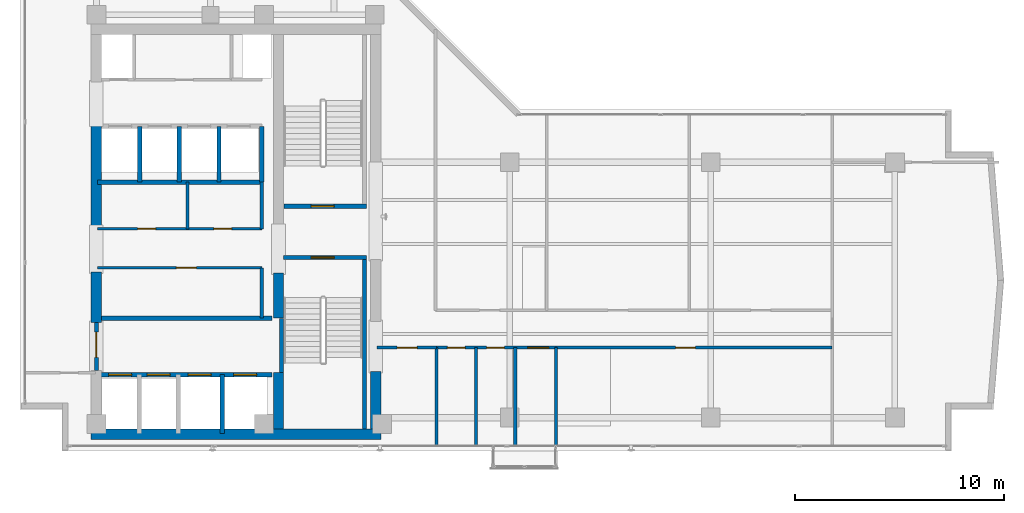
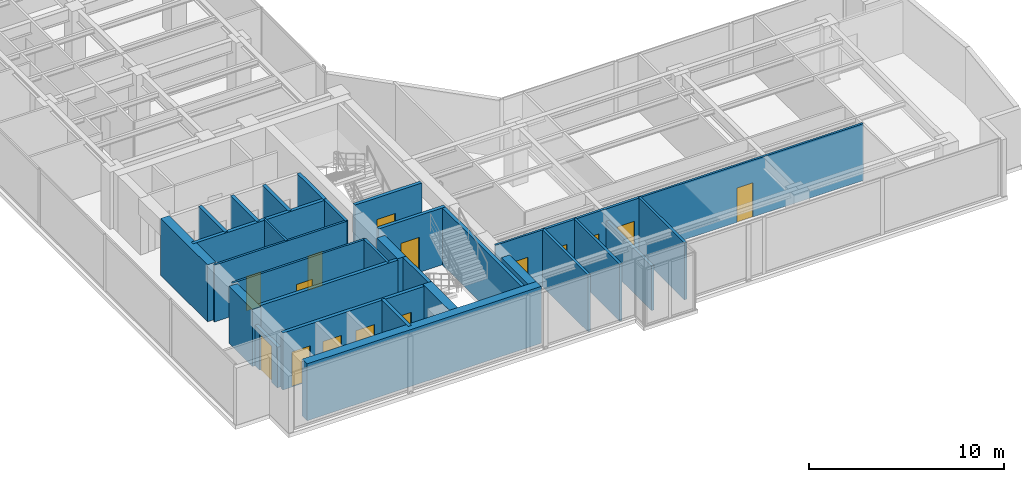
# One storey, part 17 of 24: 31 walls, 15 doors, 15 openings.
"""IFC4 building model written with IfcOpenShell, lengths in metres."""

from ifc_helpers import new_model, si_unit, direction, frame, frame_2d, origin, place, context, subcontext, project, spatial, rectangle, extrude, material, layer, layer_set, type_object, element, fill, save


model = new_model("IFC4")

# Units and contexts
model_context = context("Model", 3, precision=1e-05, world=origin(), true_north=direction((0.0, 1.0)))
body_context = subcontext(model_context, "Body", "Model", "MODEL_VIEW")
ifc_project = project(units=[si_unit("LENGTHUNIT", "METRE"), si_unit("AREAUNIT", "SQUARE_METRE"), si_unit("VOLUMEUNIT", "CUBIC_METRE"), si_unit("PLANEANGLEUNIT", "RADIAN"), si_unit("MASSUNIT", "GRAM", prefix="KILO")], contexts=[model_context])

# Site, building, storey
site_placement = place(None, origin())
site = spatial("IfcSite", under=ifc_project, at=site_placement, CompositionType="ELEMENT")
building_placement = place(site_placement, origin())
building = spatial("IfcBuilding", under=site, at=building_placement, Name="Kolvaren Waterfront Exchange", CompositionType="ELEMENT")
storey_placement = place(building_placement, frame((0.0, 0.0, 293.199951171875)))
storey = spatial("IfcBuildingStorey", under=building, at=storey_placement, Name="L75", CompositionType="ELEMENT", Elevation=293.199951171875)

# Wall, opening, door
ifc_material_1 = material(Name="Precast concrete C40/50", Category="concrete")
ifc_layer_1 = layer(ifc_material_1, 0.199951171875, Name="Precast concrete C40/50")
ifc_layer_set_1 = layer_set([ifc_layer_1], Name="Precast concrete C40/50")
wall_type_1 = type_object("IfcWallType", Name="ARC-FIRE-200", PredefinedType="PARTITIONING", material=ifc_layer_set_1)
wall_1_placement = place(storey_placement, frame((16.39990234375, 12.85009765625, 0.0), z_axis=(0.0, 0.0, 1.0), x_axis=(1.0, 0.0, 0.0)))
wall_1 = element("IfcWall", 1, at=wall_1_placement, inside=storey, type_object=wall_type_1, Name="L75 interior wall PW-L75-ST1-THROAT-S", PredefinedType="PARTITIONING", context=body_context, shape_type="SweptSolid", body=[
    extrude(rectangle(XDim=3.960205078125, YDim=0.199951171875, at=frame_2d((1.97998046875, 0.0))), origin(), (0.0, 0.0, 1.0), 3.56005859375),
])
opening_1_placement = place(wall_1_placement, frame((1.3037109375, 0.0, 0.0)))
opening_1 = element("IfcOpeningElement", 2, at=opening_1_placement, cuts=wall_1, Name="Opening FD2", PredefinedType="OPENING", context=body_context, shape_type="SweptSolid", body=[
    extrude(rectangle(XDim=1.10009765625, YDim=2.199951171875, at=frame_2d((0.550048828125, 1.10009765625))), frame((0.0, 0.10986328125, 0.0), z_axis=(0.0, -1.0, 0.0), x_axis=(1.0, 0.0, 0.0)), (0.0, 0.0, 1.0), 0.219970703125),
])
ifc_material_2 = material(Name="Pressed steel smoke-seal fire door", Category="steel")
door_type_1 = type_object("IfcDoorType", Name="ARC-FD-1100", OperationType="NOTDEFINED", PredefinedType="DOOR", material=ifc_material_2)
door_1_placement = place(opening_1_placement, frame((1.10009765625, 0.0, 0.0), z_axis=(0.0, 0.0, 1.0), x_axis=(-1.0, 0.0, 0.0)))
door_1 = element("IfcDoor", 3, at=door_1_placement, inside=storey, type_object=door_type_1, Name="L75 door DR-L75-ST1-IN (FD2)", OperationType="SINGLE_SWING_LEFT", OverallHeight=2.199951171875, OverallWidth=1.10009765625, PredefinedType="DOOR", context=body_context, shape_type="SweptSolid", body=[
    extrude(rectangle(XDim=1.10009765625, YDim=2.199951171875, at=frame_2d((0.550048828125, 1.10009765625))), frame((0.0, 0.02490234375, 0.0), z_axis=(0.0, -1.0, 0.0), x_axis=(1.0, 0.0, 0.0)), (0.0, 0.0, 1.0), 0.050048828125),
])
fill(opening_1, door_1)

wall_2_placement = place(storey_placement, frame((16.409912109375, 15.300048828125, 0.0), z_axis=(0.0, 0.0, 1.0), x_axis=(1.0, 0.0, 0.0)))
wall_2 = element("IfcWall", 4, at=wall_2_placement, inside=storey, type_object=wall_type_1, Name="L75 interior wall PW-L75-ST2-THROAT-N", PredefinedType="PARTITIONING", context=body_context, shape_type="SweptSolid", body=[
    extrude(rectangle(XDim=3.9501953125, YDim=0.199951171875, at=frame_2d((1.97509765625, 0.0))), origin(), (0.0, 0.0, 1.0), 3.56005859375),
])
opening_2_placement = place(wall_2_placement, frame((1.293701171875, 0.0, 0.0)))
opening_2 = element("IfcOpeningElement", 5, at=opening_2_placement, cuts=wall_2, Name="Opening FD2", PredefinedType="OPENING", context=body_context, shape_type="SweptSolid", body=[
    extrude(rectangle(XDim=1.10009765625, YDim=2.199951171875, at=frame_2d((0.550048828125, 1.10009765625))), frame((0.0, 0.10986328125, 0.0), z_axis=(0.0, -1.0, 0.0), x_axis=(1.0, 0.0, 0.0)), (0.0, 0.0, 1.0), 0.219970703125),
])
door_2_placement = place(opening_2_placement, origin())
door_2 = element("IfcDoor", 6, at=door_2_placement, inside=storey, type_object=door_type_1, Name="L75 door DR-L75-ST2-IN (FD2)", OperationType="SINGLE_SWING_RIGHT", OverallHeight=2.199951171875, OverallWidth=1.10009765625, PredefinedType="DOOR", context=body_context, shape_type="SweptSolid", body=[
    extrude(rectangle(XDim=1.10009765625, YDim=2.199951171875, at=frame_2d((0.550048828125, 1.10009765625))), frame((0.0, 0.02490234375, 0.0), z_axis=(0.0, -1.0, 0.0), x_axis=(1.0, 0.0, 0.0)), (0.0, 0.0, 1.0), 0.050048828125),
])
fill(opening_2, door_2)

# Wall
wall_3_placement = place(storey_placement, frame((7.5, 9.949951171875, 0.0), z_axis=(0.0, 0.0, 1.0), x_axis=(1.0, 0.0, 0.0)))
element("IfcWall", 7, at=wall_3_placement, inside=storey, type_object=wall_type_1, Name="L75 interior wall PW-L75-FF-N", PredefinedType="PARTITIONING", context=body_context, shape_type="SweptSolid", body=[
    extrude(rectangle(XDim=8.35009765625, YDim=0.199951171875, at=frame_2d((4.175048828125, 0.0))), origin(), (0.0, 0.0, 1.0), 3.56005859375),
])

# Wall, opening, door
wall_4_placement = place(storey_placement, frame((7.449951171875, 7.449951171875, 0.0), z_axis=(0.0, 0.0, 1.0), x_axis=(0.0, 1.0, 0.0)))
wall_4 = element("IfcWall", 8, at=wall_4_placement, inside=storey, type_object=wall_type_1, Name="L75 interior wall PW-L75-FF-W-DOOR", PredefinedType="PARTITIONING", context=body_context, shape_type="SweptSolid", body=[
    extrude(rectangle(XDim=2.300048828125, YDim=0.199951171875, at=frame_2d((1.14990234375, 0.0))), origin(), (0.0, 0.0, 1.0), 2.5400390625),
])
opening_3_placement = place(wall_4_placement, frame((0.63330078125, 0.0, 0.0)))
opening_3 = element("IfcOpeningElement", 9, at=opening_3_placement, cuts=wall_4, Name="Opening FD3", PredefinedType="OPENING", context=body_context, shape_type="SweptSolid", body=[
    extrude(rectangle(XDim=1.199951171875, YDim=2.25, at=frame_2d((0.60009765625, 1.125))), frame((0.0, 0.10986328125, 0.0), z_axis=(0.0, -1.0, 0.0), x_axis=(1.0, 0.0, 0.0)), (0.0, 0.0, 1.0), 0.219970703125),
])
ifc_material_3 = material(Name="Pressed steel fire door", Category="steel")
door_type_2 = type_object("IfcDoorType", Name="ARC-FD-1200", OperationType="NOTDEFINED", PredefinedType="DOOR", material=ifc_material_3)
door_3_placement = place(opening_3_placement, frame((1.199951171875, 0.0, 0.0), z_axis=(0.0, 0.0, 1.0), x_axis=(-1.0, 0.0, 0.0)))
door_3 = element("IfcDoor", 10, at=door_3_placement, inside=storey, type_object=door_type_2, Name="L75 door DR-L75-FF-OUT (FD3)", OperationType="SINGLE_SWING_LEFT", OverallHeight=2.25, OverallWidth=1.199951171875, PredefinedType="DOOR", context=body_context, shape_type="SweptSolid", body=[
    extrude(rectangle(XDim=1.199951171875, YDim=2.25, at=frame_2d((0.60009765625, 1.125))), frame((0.0, 0.02490234375, 0.0), z_axis=(0.0, -1.0, 0.0), x_axis=(1.0, 0.0, 0.0)), (0.0, 0.0, 1.0), 0.050048828125),
])
fill(opening_3, door_3)

ifc_material_4 = material(Name="Acoustic gypsum steel stud", Category="steel")
ifc_layer_2 = layer(ifc_material_4, 0.125, Name="Acoustic gypsum steel stud")
ifc_layer_set_2 = layer_set([ifc_layer_2], Name="Acoustic gypsum steel stud")
wall_type_2 = type_object("IfcWallType", Name="ARC-PART-125", PredefinedType="PARTITIONING", material=ifc_layer_set_2)
wall_5_placement = place(storey_placement, frame((7.5, 12.360107421875, 0.0), z_axis=(0.0, 0.0, 1.0), x_axis=(1.0, 0.0, 0.0)))
wall_5 = element("IfcWall", 11, at=wall_5_placement, inside=storey, type_object=wall_type_2, Name="L75 interior wall PW-L75-REC-HI-S", PredefinedType="PARTITIONING", context=body_context, shape_type="SweptSolid", body=[
    extrude(rectangle(XDim=7.85009765625, YDim=0.125, at=frame_2d((3.925048828125, 0.0))), origin(), (0.0, 0.0, 1.0), 3.56005859375),
])
opening_4_placement = place(wall_5_placement, frame((3.77490234375, 0.0, 0.0)))
opening_4 = element("IfcOpeningElement", 12, at=opening_4_placement, cuts=wall_5, Name="Opening D02", PredefinedType="OPENING", context=body_context, shape_type="SweptSolid", body=[
    extrude(rectangle(XDim=0.949951171875, YDim=2.14990234375, at=frame_2d((0.47509765625, 1.074951171875))), frame((0.0, 0.072509765625, 0.0), z_axis=(0.0, -1.0, 0.0), x_axis=(1.0, 0.0, 0.0)), (0.0, 0.0, 1.0), 0.14501953125),
])
ifc_material_5 = material(Name="Oak veneer acoustic timber", Category="wood")
door_type_3 = type_object("IfcDoorType", Name="ARC-DR-950", OperationType="NOTDEFINED", PredefinedType="DOOR", material=ifc_material_5)
door_4_placement = place(opening_4_placement, origin())
door_4 = element("IfcDoor", 13, at=door_4_placement, inside=storey, type_object=door_type_3, Name="L75 door DR-L75-REC-HI-D1 (D02)", OperationType="SINGLE_SWING_RIGHT", OverallHeight=2.14990234375, OverallWidth=0.949951171875, PredefinedType="DOOR", context=body_context, shape_type="SweptSolid", body=[
    extrude(rectangle(XDim=0.949951171875, YDim=2.14990234375, at=frame_2d((0.47509765625, 1.074951171875))), frame((0.0, 0.02490234375, 0.0), z_axis=(0.0, -1.0, 0.0), x_axis=(1.0, 0.0, 0.0)), (0.0, 0.0, 1.0), 0.050048828125),
])
fill(opening_4, door_4)

# Wall, openings, doors
wall_6_placement = place(storey_placement, frame((7.5, 14.219970703125, 0.0), z_axis=(0.0, 0.0, 1.0), x_axis=(1.0, 0.0, 0.0)))
wall_6 = element("IfcWall", 14, at=wall_6_placement, inside=storey, type_object=wall_type_2, Name="L75 interior wall PW-L75-REC-HI-N", PredefinedType="PARTITIONING", context=body_context, shape_type="SweptSolid", body=[
    extrude(rectangle(XDim=7.85009765625, YDim=0.125, at=frame_2d((3.925048828125, 0.0))), origin(), (0.0, 0.0, 1.0), 3.56005859375),
])
opening_5_placement = place(wall_6_placement, frame((1.925048828125, 0.0, 0.0)))
opening_5 = element("IfcOpeningElement", 15, at=opening_5_placement, cuts=wall_6, Name="Opening D01", PredefinedType="OPENING", context=body_context, shape_type="SweptSolid", body=[
    extrude(rectangle(XDim=0.85009765625, YDim=2.14990234375, at=frame_2d((0.425048828125, 1.074951171875))), frame((0.0, 0.072509765625, 0.0), z_axis=(0.0, -1.0, 0.0), x_axis=(1.0, 0.0, 0.0)), (0.0, 0.0, 1.0), 0.14501953125),
])
opening_6_placement = place(wall_6_placement, frame((5.56298828125, 0.0, 0.0)))
opening_6 = element("IfcOpeningElement", 16, at=opening_6_placement, cuts=wall_6, Name="Opening D01", PredefinedType="OPENING", context=body_context, shape_type="SweptSolid", body=[
    extrude(rectangle(XDim=0.85009765625, YDim=2.14990234375, at=frame_2d((0.425048828125, 1.074951171875))), frame((0.0, 0.072509765625, 0.0), z_axis=(0.0, -1.0, 0.0), x_axis=(1.0, 0.0, 0.0)), (0.0, 0.0, 1.0), 0.14501953125),
])
ifc_material_6 = material(Name="Oak veneer timber leaf", Category="wood")
door_type_4 = type_object("IfcDoorType", Name="ARC-DR-900", OperationType="NOTDEFINED", PredefinedType="DOOR", material=ifc_material_6)
door_5_placement = place(opening_5_placement, origin())
door_5 = element("IfcDoor", 17, at=door_5_placement, inside=storey, type_object=door_type_4, Name="L75 door DR-L75-REC-HI-D2 (D01)", OperationType="SINGLE_SWING_LEFT", OverallHeight=2.14990234375, OverallWidth=0.85009765625, PredefinedType="DOOR", context=body_context, shape_type="SweptSolid", body=[
    extrude(rectangle(XDim=0.85009765625, YDim=2.14990234375, at=frame_2d((0.425048828125, 1.074951171875))), frame((0.0, 0.02490234375, 0.0), z_axis=(0.0, -1.0, 0.0), x_axis=(1.0, 0.0, 0.0)), (0.0, 0.0, 1.0), 0.050048828125),
])
fill(opening_5, door_5)
door_6_placement = place(opening_6_placement, origin())
door_6 = element("IfcDoor", 18, at=door_6_placement, inside=storey, type_object=door_type_4, Name="L75 door DR-L75-REC-HI-D3 (D01)", OperationType="SINGLE_SWING_RIGHT", OverallHeight=2.14990234375, OverallWidth=0.85009765625, PredefinedType="DOOR", context=body_context, shape_type="SweptSolid", body=[
    extrude(rectangle(XDim=0.85009765625, YDim=2.14990234375, at=frame_2d((0.425048828125, 1.074951171875))), frame((0.0, 0.02490234375, 0.0), z_axis=(0.0, -1.0, 0.0), x_axis=(1.0, 0.0, 0.0)), (0.0, 0.0, 1.0), 0.050048828125),
])
fill(opening_6, door_6)

# Wall
wall_7_placement = place(storey_placement, frame((11.800048828125, 14.219970703125, 0.0), z_axis=(0.0, 0.0, 1.0), x_axis=(0.0, 1.0, 0.0)))
element("IfcWall", 19, at=wall_7_placement, inside=storey, type_object=wall_type_2, Name="L75 interior wall PW-L75-REC-HI-MN2", PredefinedType="PARTITIONING", context=body_context, shape_type="SweptSolid", body=[
    extrude(rectangle(XDim=2.22998046875, YDim=0.125, at=frame_2d((1.114990234375, 0.0))), origin(), (0.0, 0.0, 1.0), 3.56005859375),
])

# Wall, opening, door
wall_8_placement = place(storey_placement, frame((20.85009765625, 8.550048828125, 0.0), z_axis=(0.0, 0.0, 1.0), x_axis=(1.0, 0.0, 0.0)))
wall_8 = element("IfcWall", 20, at=wall_8_placement, inside=storey, type_object=wall_type_2, Name="L75 interior wall PW-L75-SWST3-N", PredefinedType="PARTITIONING", context=body_context, shape_type="SweptSolid", body=[
    extrude(rectangle(XDim=2.849853515625, YDim=0.125, at=frame_2d((1.4248046875, 0.0))), origin(), (0.0, 0.0, 1.0), 3.56005859375),
])
opening_7_placement = place(wall_8_placement, frame((0.971435546875, 0.0, 0.0)))
opening_7 = element("IfcOpeningElement", 21, at=opening_7_placement, cuts=wall_8, Name="Opening D02", PredefinedType="OPENING", context=body_context, shape_type="SweptSolid", body=[
    extrude(rectangle(XDim=0.949951171875, YDim=2.14990234375, at=frame_2d((0.47509765625, 1.074951171875))), frame((0.0, 0.072509765625, 0.0), z_axis=(0.0, -1.0, 0.0), x_axis=(1.0, 0.0, 0.0)), (0.0, 0.0, 1.0), 0.14501953125),
])
door_7_placement = place(opening_7_placement, origin())
door_7 = element("IfcDoor", 22, at=door_7_placement, inside=storey, type_object=door_type_3, Name="L75 door DR-L75-SWST3-D (D02)", OperationType="SINGLE_SWING_LEFT", OverallHeight=2.14990234375, OverallWidth=0.949951171875, PredefinedType="DOOR", context=body_context, shape_type="SweptSolid", body=[
    extrude(rectangle(XDim=0.949951171875, YDim=2.14990234375, at=frame_2d((0.47509765625, 1.074951171875))), frame((0.0, 0.02490234375, 0.0), z_axis=(0.0, -1.0, 0.0), x_axis=(1.0, 0.0, 0.0)), (0.0, 0.0, 1.0), 0.050048828125),
])
fill(opening_7, door_7)

wall_9_placement = place(storey_placement, frame((29.39990234375, 8.550048828125, 0.0), z_axis=(0.0, 0.0, 1.0), x_axis=(1.0, 0.0, 0.0)))
wall_9 = element("IfcWall", 23, at=wall_9_placement, inside=storey, type_object=wall_type_2, Name="L75 interior wall PW-L75-ES-CORR", PredefinedType="PARTITIONING", context=body_context, shape_type="SweptSolid", body=[
    extrude(rectangle(XDim=13.2001953125, YDim=0.125, at=frame_2d((6.60009765625, 0.0))), origin(), (0.0, 0.0, 1.0), 3.56005859375),
])
opening_8_placement = place(wall_9_placement, frame((5.719970703125, 0.0, 0.0)))
opening_8 = element("IfcOpeningElement", 24, at=opening_8_placement, cuts=wall_9, Name="Opening D02", PredefinedType="OPENING", context=body_context, shape_type="SweptSolid", body=[
    extrude(rectangle(XDim=0.949951171875, YDim=2.14990234375, at=frame_2d((0.47509765625, 1.074951171875))), frame((0.0, 0.072509765625, 0.0), z_axis=(0.0, -1.0, 0.0), x_axis=(1.0, 0.0, 0.0)), (0.0, 0.0, 1.0), 0.14501953125),
])
door_8_placement = place(opening_8_placement, origin())
door_8 = element("IfcDoor", 25, at=door_8_placement, inside=storey, type_object=door_type_3, Name="L75 door DR-L75-ES-D-1 (D02)", OperationType="SINGLE_SWING_RIGHT", OverallHeight=2.14990234375, OverallWidth=0.949951171875, PredefinedType="DOOR", context=body_context, shape_type="SweptSolid", body=[
    extrude(rectangle(XDim=0.949951171875, YDim=2.14990234375, at=frame_2d((0.47509765625, 1.074951171875))), frame((0.0, 0.02490234375, 0.0), z_axis=(0.0, -1.0, 0.0), x_axis=(1.0, 0.0, 0.0)), (0.0, 0.0, 1.0), 0.050048828125),
])
fill(opening_8, door_8)

# Walls
ifc_material_7 = material(Name="Gypsum fireboard steel stud", Category="steel")
ifc_layer_3 = layer(ifc_material_7, 0.14990234375, Name="Gypsum fireboard steel stud")
ifc_layer_set_3 = layer_set([ifc_layer_3], Name="Gypsum fireboard steel stud")
wall_type_3 = type_object("IfcWallType", Name="ARC-PART-150", PredefinedType="PARTITIONING", material=ifc_layer_set_3)
wall_10_placement = place(storey_placement, frame((15.35009765625, 9.949951171875, 0.0), z_axis=(0.0, 0.0, 1.0), x_axis=(0.0, 1.0, 0.0)))
element("IfcWall", 26, at=wall_10_placement, inside=storey, type_object=wall_type_3, Name="L75 interior wall PW-L75-REC-HI-E1", PredefinedType="PARTITIONING", context=body_context, shape_type="SweptSolid", body=[
    extrude(rectangle(XDim=2.41015625, YDim=0.14990234375, at=frame_2d((1.205078125, 0.0))), origin(), (0.0, 0.0, 1.0), 3.56005859375),
])
wall_11_placement = place(storey_placement, frame((15.35009765625, 14.219970703125, 0.0), z_axis=(0.0, 0.0, 1.0), x_axis=(0.0, 1.0, 0.0)))
element("IfcWall", 27, at=wall_11_placement, inside=storey, type_object=wall_type_3, Name="L75 interior wall PW-L75-REC-HI-E2", PredefinedType="PARTITIONING", context=body_context, shape_type="SweptSolid", body=[
    extrude(rectangle(XDim=2.22998046875, YDim=0.14990234375, at=frame_2d((1.114990234375, 0.0))), origin(), (0.0, 0.0, 1.0), 3.56005859375),
])
ifc_material_8 = material(Name="Moisture-resistant gypsum stud")
ifc_layer_4 = layer(ifc_material_8, 0.14990234375, Name="Moisture-resistant gypsum stud")
ifc_layer_set_4 = layer_set([ifc_layer_4], Name="Moisture-resistant gypsum stud")
wall_type_4 = type_object("IfcWallType", Name="ARC-PLUMB-150", PredefinedType="PLUMBINGWALL", material=ifc_layer_set_4)
wall_12_placement = place(storey_placement, frame((23.699951171875, 3.840087890625, 0.0), z_axis=(0.0, 0.0, 1.0), x_axis=(0.0, 1.0, 0.0)))
element("IfcWall", 28, at=wall_12_placement, inside=storey, type_object=wall_type_4, Name="L75 interior wall PW-L75-WC-0", PredefinedType="PLUMBINGWALL", context=body_context, shape_type="SweptSolid", body=[
    extrude(rectangle(XDim=4.7099609375, YDim=0.14990234375, at=frame_2d((2.35498046875, 0.0))), origin(), (0.0, 0.0, 1.0), 3.56005859375),
])

# Wall, openings, doors
wall_13_placement = place(storey_placement, frame((23.699951171875, 8.550048828125, 0.0), z_axis=(0.0, 0.0, 1.0), x_axis=(1.0, 0.0, 0.0)))
wall_13 = element("IfcWall", 29, at=wall_13_placement, inside=storey, type_object=wall_type_4, Name="L75 interior wall PW-L75-WC-N", PredefinedType="PLUMBINGWALL", context=body_context, shape_type="SweptSolid", body=[
    extrude(rectangle(XDim=5.699951171875, YDim=0.14990234375, at=frame_2d((2.85009765625, 0.0))), origin(), (0.0, 0.0, 1.0), 3.56005859375),
])
opening_9_placement = place(wall_13_placement, frame((0.514892578125, 0.0, 0.0)))
opening_9 = element("IfcOpeningElement", 30, at=opening_9_placement, cuts=wall_13, Name="Opening D01", PredefinedType="OPENING", context=body_context, shape_type="SweptSolid", body=[
    extrude(rectangle(XDim=0.85009765625, YDim=2.14990234375, at=frame_2d((0.425048828125, 1.074951171875))), frame((0.0, 0.0849609375, 0.0), z_axis=(0.0, -1.0, 0.0), x_axis=(1.0, 0.0, 0.0)), (0.0, 0.0, 1.0), 0.169921875),
])
opening_10_placement = place(wall_13_placement, frame((2.39501953125, 0.0, 0.0)))
opening_10 = element("IfcOpeningElement", 31, at=opening_10_placement, cuts=wall_13, Name="Opening D01", PredefinedType="OPENING", context=body_context, shape_type="SweptSolid", body=[
    extrude(rectangle(XDim=0.85009765625, YDim=2.14990234375, at=frame_2d((0.425048828125, 1.074951171875))), frame((0.0, 0.0849609375, 0.0), z_axis=(0.0, -1.0, 0.0), x_axis=(1.0, 0.0, 0.0)), (0.0, 0.0, 1.0), 0.169921875),
])
opening_11_placement = place(wall_13_placement, frame((4.35009765625, 0.0, 0.0)))
opening_11 = element("IfcOpeningElement", 32, at=opening_11_placement, cuts=wall_13, Name="Opening D03", PredefinedType="OPENING", context=body_context, shape_type="SweptSolid", body=[
    extrude(rectangle(XDim=1.0, YDim=2.199951171875, at=frame_2d((0.5, 1.10009765625))), frame((0.0, 0.0849609375, 0.0), z_axis=(0.0, -1.0, 0.0), x_axis=(1.0, 0.0, 0.0)), (0.0, 0.0, 1.0), 0.169921875),
])
ifc_material_9 = material(Name="Oak veneer accessible timber", Category="wood")
door_type_5 = type_object("IfcDoorType", Name="ARC-DR-1000", OperationType="NOTDEFINED", PredefinedType="DOOR", material=ifc_material_9)
door_9_placement = place(opening_11_placement, origin())
door_9 = element("IfcDoor", 33, at=door_9_placement, inside=storey, type_object=door_type_5, Name="L75 door DR-L75-WCA-D (D03)", OperationType="SINGLE_SWING_LEFT", OverallHeight=2.199951171875, OverallWidth=1.0, PredefinedType="DOOR", context=body_context, shape_type="SweptSolid", body=[
    extrude(rectangle(XDim=1.0, YDim=2.199951171875, at=frame_2d((0.5, 1.10009765625))), frame((0.0, 0.02490234375, 0.0), z_axis=(0.0, -1.0, 0.0), x_axis=(1.0, 0.0, 0.0)), (0.0, 0.0, 1.0), 0.050048828125),
])
fill(opening_11, door_9)
door_10_placement = place(opening_9_placement, origin())
door_10 = element("IfcDoor", 34, at=door_10_placement, inside=storey, type_object=door_type_4, Name="L75 door DR-L75-WCM-D (D01)", OperationType="SINGLE_SWING_LEFT", OverallHeight=2.14990234375, OverallWidth=0.85009765625, PredefinedType="DOOR", context=body_context, shape_type="SweptSolid", body=[
    extrude(rectangle(XDim=0.85009765625, YDim=2.14990234375, at=frame_2d((0.425048828125, 1.074951171875))), frame((0.0, 0.02490234375, 0.0), z_axis=(0.0, -1.0, 0.0), x_axis=(1.0, 0.0, 0.0)), (0.0, 0.0, 1.0), 0.050048828125),
])
fill(opening_9, door_10)
door_11_placement = place(opening_10_placement, origin())
door_11 = element("IfcDoor", 35, at=door_11_placement, inside=storey, type_object=door_type_4, Name="L75 door DR-L75-WCF-D (D01)", OperationType="SINGLE_SWING_RIGHT", OverallHeight=2.14990234375, OverallWidth=0.85009765625, PredefinedType="DOOR", context=body_context, shape_type="SweptSolid", body=[
    extrude(rectangle(XDim=0.85009765625, YDim=2.14990234375, at=frame_2d((0.425048828125, 1.074951171875))), frame((0.0, 0.02490234375, 0.0), z_axis=(0.0, -1.0, 0.0), x_axis=(1.0, 0.0, 0.0)), (0.0, 0.0, 1.0), 0.050048828125),
])
fill(opening_10, door_11)

# Walls
wall_14_placement = place(storey_placement, frame((25.580078125, 3.840087890625, 0.0), z_axis=(0.0, 0.0, 1.0), x_axis=(0.0, 1.0, 0.0)))
element("IfcWall", 36, at=wall_14_placement, inside=storey, type_object=wall_type_4, Name="L75 interior wall PW-L75-WC-1", PredefinedType="PLUMBINGWALL", context=body_context, shape_type="SweptSolid", body=[
    extrude(rectangle(XDim=4.7099609375, YDim=0.14990234375, at=frame_2d((2.35498046875, 0.0))), origin(), (0.0, 0.0, 1.0), 3.56005859375),
])
wall_15_placement = place(storey_placement, frame((27.4599609375, 3.840087890625, 0.0), z_axis=(0.0, 0.0, 1.0), x_axis=(0.0, 1.0, 0.0)))
element("IfcWall", 37, at=wall_15_placement, inside=storey, type_object=wall_type_4, Name="L75 interior wall PW-L75-WC-2", PredefinedType="PLUMBINGWALL", context=body_context, shape_type="SweptSolid", body=[
    extrude(rectangle(XDim=4.7099609375, YDim=0.14990234375, at=frame_2d((2.35498046875, 0.0))), origin(), (0.0, 0.0, 1.0), 2.798095703125),
])
wall_16_placement = place(storey_placement, frame((29.39990234375, 3.840087890625, 0.0), z_axis=(0.0, 0.0, 1.0), x_axis=(0.0, 1.0, 0.0)))
element("IfcWall", 38, at=wall_16_placement, inside=storey, type_object=wall_type_4, Name="L75 interior wall PW-L75-WC-3", PredefinedType="PLUMBINGWALL", context=body_context, shape_type="SweptSolid", body=[
    extrude(rectangle(XDim=4.7099609375, YDim=0.14990234375, at=frame_2d((2.35498046875, 0.0))), origin(), (0.0, 0.0, 1.0), 3.56005859375),
])
ifc_material_10 = material(Name="Concrete C40/50", Category="concrete")
ifc_layer_5 = layer(ifc_material_10, 0.199951171875, Name="Concrete C40/50")
ifc_layer_set_5 = layer_set([ifc_layer_5], Name="Concrete C40/50")
wall_type_5 = type_object("IfcWallType", Name="ARC-SHAFT-200", PredefinedType="PARTITIONING", material=ifc_layer_set_5)
wall_17_placement = place(storey_placement, frame((16.300048828125, 7.360107421875, 0.0), z_axis=(0.0, 0.0, 1.0), x_axis=(0.0, 1.0, 0.0)))
element("IfcWall", 39, at=wall_17_placement, inside=storey, type_object=wall_type_5, Name="L75 structural stairwell wall PW-L75-ST1-W", PredefinedType="SHEAR", context=body_context, shape_type="SweptSolid", body=[
    extrude(rectangle(XDim=2.579833984375, YDim=0.199951171875, at=frame_2d((1.2900390625, 0.0))), origin(), (0.0, 0.0, 1.0), 3.56005859375),
])
wall_18_placement = place(storey_placement, frame((20.260009765625, 4.659912109375, 0.0), z_axis=(0.0, 0.0, 1.0), x_axis=(0.0, 1.0, 0.0)))
element("IfcWall", 40, at=wall_18_placement, inside=storey, type_object=wall_type_5, Name="L75 structural stairwell wall PW-L75-ST1-E", PredefinedType="SHEAR", context=body_context, shape_type="SweptSolid", body=[
    extrude(rectangle(XDim=8.090087890625, YDim=0.199951171875, at=frame_2d((4.044921875, 0.0))), origin(), (0.0, 0.0, 1.0), 3.56005859375),
])

# Wall, openings, doors
wall_19_placement = place(storey_placement, frame((7.5, 7.25, 0.0), z_axis=(0.0, 0.0, 1.0), x_axis=(1.0, 0.0, 0.0)))
wall_19 = element("IfcWall", 41, at=wall_19_placement, inside=storey, type_object=wall_type_5, Name="L75 interior wall PW-L75-FF-S", PredefinedType="PARTITIONING", context=body_context, shape_type="SweptSolid", body=[
    extrude(rectangle(XDim=8.35009765625, YDim=0.199951171875, at=frame_2d((4.175048828125, 0.0))), origin(), (0.0, 0.0, 1.0), 3.56005859375),
])
opening_12_placement = place(wall_19_placement, frame((0.530029296875, 0.0, 0.0)))
opening_12 = element("IfcOpeningElement", 42, at=opening_12_placement, cuts=wall_19, Name="Opening LD1", PredefinedType="OPENING", context=body_context, shape_type="SweptSolid", body=[
    extrude(rectangle(XDim=1.10009765625, YDim=2.199951171875, at=frame_2d((0.550048828125, 1.10009765625))), frame((0.0, 0.10986328125, 0.0), z_axis=(0.0, -1.0, 0.0), x_axis=(1.0, 0.0, 0.0)), (0.0, 0.0, 1.0), 0.219970703125),
])
opening_13_placement = place(wall_19_placement, frame((2.3701171875, 0.0, 0.0)))
opening_13 = element("IfcOpeningElement", 43, at=opening_13_placement, cuts=wall_19, Name="Opening LD1", PredefinedType="OPENING", context=body_context, shape_type="SweptSolid", body=[
    extrude(rectangle(XDim=1.10009765625, YDim=2.199951171875, at=frame_2d((0.550048828125, 1.10009765625))), frame((0.0, 0.10986328125, 0.0), z_axis=(0.0, -1.0, 0.0), x_axis=(1.0, 0.0, 0.0)), (0.0, 0.0, 1.0), 0.219970703125),
])
opening_14_placement = place(wall_19_placement, frame((4.330078125, 0.0, 0.0)))
opening_14 = element("IfcOpeningElement", 44, at=opening_14_placement, cuts=wall_19, Name="Opening LD1", PredefinedType="OPENING", context=body_context, shape_type="SweptSolid", body=[
    extrude(rectangle(XDim=1.10009765625, YDim=2.199951171875, at=frame_2d((0.550048828125, 1.10009765625))), frame((0.0, 0.10986328125, 0.0), z_axis=(0.0, -1.0, 0.0), x_axis=(1.0, 0.0, 0.0)), (0.0, 0.0, 1.0), 0.219970703125),
])
opening_15_placement = place(wall_19_placement, frame((6.5, 0.0, 0.0)))
opening_15 = element("IfcOpeningElement", 45, at=opening_15_placement, cuts=wall_19, Name="Opening LD1", PredefinedType="OPENING", context=body_context, shape_type="SweptSolid", body=[
    extrude(rectangle(XDim=1.10009765625, YDim=2.199951171875, at=frame_2d((0.550048828125, 1.10009765625))), frame((0.0, 0.10986328125, 0.0), z_axis=(0.0, -1.0, 0.0), x_axis=(1.0, 0.0, 0.0)), (0.0, 0.0, 1.0), 0.219970703125),
])
ifc_material_11 = material(Name="Stainless steel sliding landing door", Category="steel")
door_type_6 = type_object("IfcDoorType", Name="ARC-LD-FF", OperationType="SLIDING_TO_LEFT", PredefinedType="DOOR", material=ifc_material_11)
door_12_placement = place(opening_12_placement, origin())
door_12 = element("IfcDoor", 46, at=door_12_placement, inside=storey, type_object=door_type_6, Name="L75 door LD-L75-FFL1 (LD1)", OperationType="SLIDING_TO_LEFT", OverallHeight=2.199951171875, OverallWidth=1.10009765625, PredefinedType="DOOR", context=body_context, shape_type="SweptSolid", body=[
    extrude(rectangle(XDim=1.10009765625, YDim=2.199951171875, at=frame_2d((0.550048828125, 1.10009765625))), frame((0.0, 0.02490234375, 0.0), z_axis=(0.0, -1.0, 0.0), x_axis=(1.0, 0.0, 0.0)), (0.0, 0.0, 1.0), 0.050048828125),
])
fill(opening_12, door_12)
door_13_placement = place(opening_13_placement, origin())
door_13 = element("IfcDoor", 47, at=door_13_placement, inside=storey, type_object=door_type_6, Name="L75 door LD-L75-FFL2 (LD1)", OperationType="SLIDING_TO_LEFT", OverallHeight=2.199951171875, OverallWidth=1.10009765625, PredefinedType="DOOR", context=body_context, shape_type="SweptSolid", body=[
    extrude(rectangle(XDim=1.10009765625, YDim=2.199951171875, at=frame_2d((0.550048828125, 1.10009765625))), frame((0.0, 0.02490234375, 0.0), z_axis=(0.0, -1.0, 0.0), x_axis=(1.0, 0.0, 0.0)), (0.0, 0.0, 1.0), 0.050048828125),
])
fill(opening_13, door_13)
door_14_placement = place(opening_14_placement, origin())
door_14 = element("IfcDoor", 48, at=door_14_placement, inside=storey, type_object=door_type_6, Name="L75 door LD-L75-GL1 (LD1)", OperationType="SLIDING_TO_LEFT", OverallHeight=2.199951171875, OverallWidth=1.10009765625, PredefinedType="DOOR", context=body_context, shape_type="SweptSolid", body=[
    extrude(rectangle(XDim=1.10009765625, YDim=2.199951171875, at=frame_2d((0.550048828125, 1.10009765625))), frame((0.0, 0.02490234375, 0.0), z_axis=(0.0, -1.0, 0.0), x_axis=(1.0, 0.0, 0.0)), (0.0, 0.0, 1.0), 0.050048828125),
])
fill(opening_14, door_14)
door_15_placement = place(opening_15_placement, origin())
door_15 = element("IfcDoor", 49, at=door_15_placement, inside=storey, type_object=door_type_6, Name="L75 door LD-L75-GL2 (LD1)", OperationType="SLIDING_TO_LEFT", OverallHeight=2.199951171875, OverallWidth=1.10009765625, PredefinedType="DOOR", context=body_context, shape_type="SweptSolid", body=[
    extrude(rectangle(XDim=1.10009765625, YDim=2.199951171875, at=frame_2d((0.550048828125, 1.10009765625))), frame((0.0, 0.02490234375, 0.0), z_axis=(0.0, -1.0, 0.0), x_axis=(1.0, 0.0, 0.0)), (0.0, 0.0, 1.0), 0.050048828125),
])
fill(opening_15, door_15)

# Walls
wall_20_placement = place(storey_placement, frame((13.4599609375, 4.449951171875, 0.0), z_axis=(0.0, 0.0, 1.0), x_axis=(0.0, 1.0, 0.0)))
element("IfcWall", 50, at=wall_20_placement, inside=storey, type_object=wall_type_5, Name="L75 interior wall PW-L75-SH1-DIV-134", PredefinedType="PARTITIONING", context=body_context, shape_type="SweptSolid", body=[
    extrude(rectangle(XDim=2.800048828125, YDim=0.199951171875, at=frame_2d((1.39990234375, 0.0))), origin(), (0.0, 0.0, 1.0), 3.56005859375),
])
wall_21_placement = place(storey_placement, frame((7.5, 16.449951171875, 0.0), z_axis=(0.0, 0.0, 1.0), x_axis=(1.0, 0.0, 0.0)))
element("IfcWall", 51, at=wall_21_placement, inside=storey, type_object=wall_type_5, Name="L75 interior wall PW-L75-REC-PM-N", PredefinedType="PARTITIONING", context=body_context, shape_type="SweptSolid", body=[
    extrude(rectangle(XDim=7.85009765625, YDim=0.199951171875, at=frame_2d((3.925048828125, 0.0))), origin(), (0.0, 0.0, 1.0), 3.56005859375),
])
for number, where, z_axis, x_axis, name in (
    (52, (15.35009765625, 16.449951171875, 0.0), (0.0, 0.0, 1.0), (0.0, 1.0, 0.0), "L75 interior wall PW-L75-PH-E"),
    (53, (9.52001953125, 16.449951171875, 0.0), (0.0, 0.0, 1.0), (0.0, 1.0, 0.0), "L75 interior wall PW-L75-SH4-DIV-95"),
    (54, (11.409912109375, 16.449951171875, 0.0), (0.0, 0.0, 1.0), (0.0, 1.0, 0.0), "L75 interior wall PW-L75-SH4-DIV-114"),
    (55, (13.300048828125, 16.449951171875, 0.0), (0.0, 0.0, 1.0), (0.0, 1.0, 0.0), "L75 interior wall PW-L75-SH4-DIV-133"),
):
    element("IfcWall", number, at=place(storey_placement, frame(where, z_axis=z_axis, x_axis=x_axis)), inside=storey, type_object=wall_type_5, Name=name, PredefinedType="PARTITIONING", context=body_context, shape_type="SweptSolid", body=[
        extrude(rectangle(XDim=2.670166015625, YDim=0.199951171875, at=frame_2d((1.3349609375, 0.0))), origin(), (0.0, 0.0, 1.0), 3.56005859375),
    ])
ifc_material_12 = material(Name="Concrete C50/60", Category="concrete")
ifc_layer_6 = layer(ifc_material_12, 0.5, Name="Concrete C50/60")
ifc_layer_set_6 = layer_set([ifc_layer_6], Name="Concrete C50/60")
wall_type_6 = type_object("IfcWallType", Name="STR-CWALL-500", PredefinedType="SHEAR", material=ifc_layer_set_6)
wall_22_placement = place(storey_placement, frame((7.199951171875, 4.39990234375, 0.0), z_axis=(0.0, 0.0, 1.0), x_axis=(1.0, 0.0, 0.0)))
element("IfcWall", 56, at=wall_22_placement, inside=storey, type_object=wall_type_6, Name="L75 rear-core shear wall S", PredefinedType="SHEAR", context=body_context, shape_type="SweptSolid", body=[
    extrude(rectangle(XDim=13.85009765625, YDim=0.5, at=frame_2d((6.925048828125, 0.0))), origin(), (0.0, 0.0, 1.0), 3.56005859375),
])
wall_23_placement = place(storey_placement, frame((7.449951171875, 9.75, 0.0), z_axis=(0.0, 0.0, 1.0), x_axis=(0.0, 1.0, 0.0)))
element("IfcWall", 57, at=wall_23_placement, inside=storey, type_object=wall_type_6, Name="L75 rear-core shear wall W2A", PredefinedType="SHEAR", context=body_context, shape_type="SweptSolid", body=[
    extrude(rectangle(XDim=2.39990234375, YDim=0.5, at=frame_2d((1.199951171875, 0.0))), origin(), (0.0, 0.0, 1.0), 3.56005859375),
])
wall_24_placement = place(storey_placement, frame((7.449951171875, 14.35009765625, 0.0), z_axis=(0.0, 0.0, 1.0), x_axis=(0.0, 1.0, 0.0)))
element("IfcWall", 58, at=wall_24_placement, inside=storey, type_object=wall_type_6, Name="L75 rear-core shear wall W2B", PredefinedType="SHEAR", context=body_context, shape_type="SweptSolid", body=[
    extrude(rectangle(XDim=4.809814453125, YDim=0.5, at=frame_2d((2.40478515625, 0.0))), origin(), (0.0, 0.0, 1.0), 3.56005859375),
])
wall_25_placement = place(storey_placement, frame((20.800048828125, 4.64990234375, 0.0), z_axis=(0.0, 0.0, 1.0), x_axis=(0.0, 1.0, 0.0)))
element("IfcWall", 59, at=wall_25_placement, inside=storey, type_object=wall_type_6, Name="L75 rear-core shear wall E1", PredefinedType="SHEAR", context=body_context, shape_type="SweptSolid", body=[
    extrude(rectangle(XDim=2.75, YDim=0.5, at=frame_2d((1.375, 0.0))), origin(), (0.0, 0.0, 1.0), 3.56005859375),
])
wall_26_placement = place(storey_placement, frame((16.14990234375, 4.64990234375, 0.0), z_axis=(0.0, 0.0, 1.0), x_axis=(0.0, 1.0, 0.0)))
element("IfcWall", 60, at=wall_26_placement, inside=storey, type_object=wall_type_6, Name="L75 rear-core shear wall M1", PredefinedType="SHEAR", context=body_context, shape_type="SweptSolid", body=[
    extrude(rectangle(XDim=2.7001953125, YDim=0.5, at=frame_2d((1.35009765625, 0.0))), origin(), (0.0, 0.0, 1.0), 3.56005859375),
])
wall_27_placement = place(storey_placement, frame((16.14990234375, 9.949951171875, 0.0), z_axis=(0.0, 0.0, 1.0), x_axis=(0.0, 1.0, 0.0)))
element("IfcWall", 61, at=wall_27_placement, inside=storey, type_object=wall_type_6, Name="L75 rear-core shear wall M2", PredefinedType="SHEAR", context=body_context, shape_type="SweptSolid", body=[
    extrude(rectangle(XDim=2.150146484375, YDim=0.5, at=frame_2d((1.0751953125, 0.0))), origin(), (0.0, 0.0, 1.0), 3.56005859375),
])

save(model, "model.ifc")
